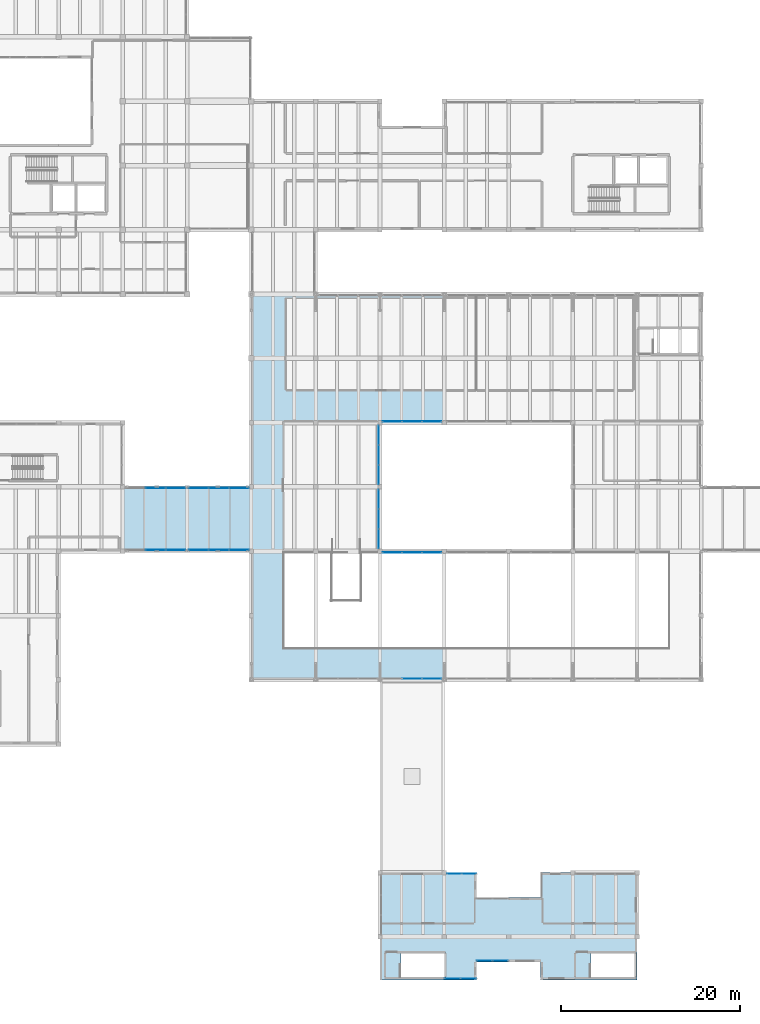
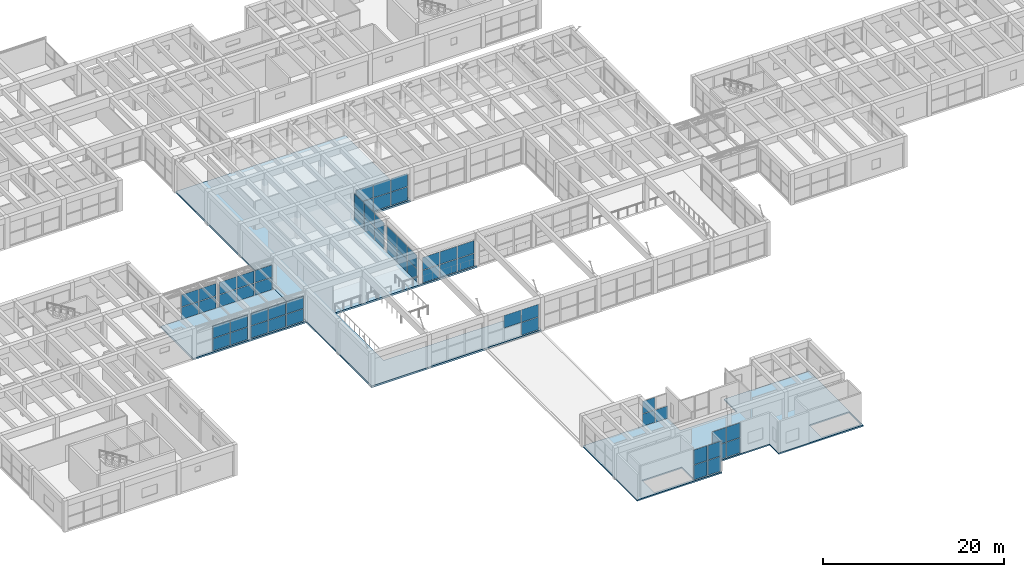
# One storey, part 118 of 153: 58 plates, 3 slabs, 12 elements without a shape of their own.
"""IFC4 building model written with IfcOpenShell, lengths in metres."""

from ifc_helpers import new_model, si_unit, direction, frame, origin, origin_2d, place, context, subcontext, project, spatial, polyline, rectangle, outline, extrude, material, layer, layer_set, type_object, element, aggregate, save


model = new_model("IFC4")

# Units and contexts
model_context = context("Model", 3, precision=1e-05, world=origin(), true_north=direction((0.0, 1.0)))
body_context = subcontext(model_context, "Body", "Model", "MODEL_VIEW")
ifc_project = project(units=[si_unit("LENGTHUNIT", "METRE"), si_unit("AREAUNIT", "SQUARE_METRE"), si_unit("VOLUMEUNIT", "CUBIC_METRE"), si_unit("PLANEANGLEUNIT", "RADIAN"), si_unit("MASSUNIT", "GRAM", prefix="KILO")], contexts=[model_context])

# Site, building, storey
site_placement = place(None, origin())
site = spatial("IfcSite", under=ifc_project, at=site_placement, CompositionType="ELEMENT")
building_placement = place(site_placement, origin())
building = spatial("IfcBuilding", under=site, at=building_placement, Name="Bramvelor Terrace Health Centre", CompositionType="ELEMENT")
storey_placement = place(building_placement, frame((0.0, 0.0, 4.800048828125)))
storey = spatial("IfcBuildingStorey", under=building, at=storey_placement, Name="L02", CompositionType="ELEMENT", Elevation=4.800048828125)

# Curtain wall, plates
ifc_material_1 = material(Name="Anodized aluminium and double low-E glass", Category="aluminium")
curtain_wall_type_1 = type_object("IfcCurtainWallType", Name="CW-SYS-20", PredefinedType="NOTDEFINED", material=ifc_material_1)
curtain_wall_1_placement = place(storey_placement, origin())
curtain_wall_1 = element("IfcCurtainWall", 1, at=curtain_wall_1_placement, inside=storey, type_object=curtain_wall_type_1, Name="L02 Unitized Curtain Wall 121", PredefinedType="NOTDEFINED")
ifc_material_2 = material(Name="Double low-E laminated glass", Category="glass")
ifc_layer_1 = layer(ifc_material_2, 0.028076171875)
ifc_layer_set_1 = layer_set([ifc_layer_1], Name="Double low-E laminated glass")
plate_type = type_object("IfcPlateType", Name="CW-PNL-GLZ28", PredefinedType="CURTAIN_PANEL", material=ifc_layer_set_1)
plate_1_placement = place(storey_placement, frame((63.41796875, 36.1298828125, 0.06494140625), z_axis=(0.0, 0.0, 1.0), x_axis=(-1.0, 0.0, 0.0)))
plate_1 = element("IfcPlate", 2, at=plate_1_placement, type_object=plate_type, Name="CW-20 panel 1.1", PredefinedType="CURTAIN_PANEL", context=body_context, shape_type="SweptSolid", body=[
    extrude(rectangle(XDim=2.124267578125, YDim=0.028076171875, at=origin_2d()), origin(), (0.0, 0.0, 1.0), 1.677490234375),
])
plate_2_placement = place(storey_placement, frame((63.41796875, 36.1298828125, 1.8076171875), z_axis=(0.0, 0.0, 1.0), x_axis=(-1.0, 0.0, 0.0)))
plate_2 = element("IfcPlate", 3, at=plate_2_placement, type_object=plate_type, Name="CW-20 panel 1.2", PredefinedType="CURTAIN_PANEL", context=body_context, shape_type="SweptSolid", body=[
    extrude(rectangle(XDim=2.124267578125, YDim=0.028076171875, at=origin_2d()), origin(), (0.0, 0.0, 1.0), 1.677490234375),
])
plate_3_placement = place(storey_placement, frame((61.199951171875, 36.1298828125, 1.8076171875), z_axis=(0.0, 0.0, 1.0), x_axis=(-1.0, 0.0, 0.0)))
plate_3 = element("IfcPlate", 4, at=plate_3_placement, type_object=plate_type, Name="CW-20 panel 2.2", PredefinedType="CURTAIN_PANEL", context=body_context, shape_type="SweptSolid", body=[
    extrude(rectangle(XDim=2.16162109375, YDim=0.028076171875, at=origin_2d()), origin(), (0.0, 0.0, 1.0), 1.677490234375),
])
aggregate(curtain_wall_1, [plate_1, plate_2, plate_3])

ifc_material_3 = material(Name="Anodized aluminium and double low-E glass", Category="aluminium")
curtain_wall_type_2 = type_object("IfcCurtainWallType", Name="CW-SYS-01", PredefinedType="NOTDEFINED", material=ifc_material_3)
curtain_wall_2_placement = place(storey_placement, origin())
curtain_wall_2 = element("IfcCurtainWall", 5, at=curtain_wall_2_placement, inside=storey, type_object=curtain_wall_type_2, Name="L02 Unitized Curtain Wall 123", PredefinedType="NOTDEFINED")
plate_4_placement = place(storey_placement, frame((41.797607421875, 50.530029296875, 0.06494140625), z_axis=(0.0, 0.0, 1.0), x_axis=(-1.0, 0.0, 0.0)))
plate_4 = element("IfcPlate", 6, at=plate_4_placement, type_object=plate_type, Name="CW-01 panel 1.1", PredefinedType="CURTAIN_PANEL", context=body_context, shape_type="SweptSolid", body=[
    extrude(rectangle(XDim=2.164794921875, YDim=0.028076171875, at=origin_2d()), origin(), (0.0, 0.0, 1.0), 1.632568359375),
])
plate_5_placement = place(storey_placement, frame((41.797607421875, 50.530029296875, 1.76220703125), z_axis=(0.0, 0.0, 1.0), x_axis=(-1.0, 0.0, 0.0)))
plate_5 = element("IfcPlate", 7, at=plate_5_placement, type_object=plate_type, Name="CW-01 panel 1.2", PredefinedType="CURTAIN_PANEL", context=body_context, shape_type="SweptSolid", body=[
    extrude(rectangle(XDim=2.164794921875, YDim=0.028076171875, at=origin_2d()), origin(), (0.0, 0.0, 1.0), 1.632568359375),
])
plate_6_placement = place(storey_placement, frame((39.5390625, 50.530029296875, 0.06494140625), z_axis=(0.0, 0.0, 1.0), x_axis=(-1.0, 0.0, 0.0)))
plate_6 = element("IfcPlate", 8, at=plate_6_placement, type_object=plate_type, Name="CW-01 panel 2.1", PredefinedType="CURTAIN_PANEL", context=body_context, shape_type="SweptSolid", body=[
    extrude(rectangle(XDim=2.2021484375, YDim=0.028076171875, at=origin_2d()), origin(), (0.0, 0.0, 1.0), 1.632568359375),
])
plate_7_placement = place(storey_placement, frame((39.5390625, 50.530029296875, 1.76220703125), z_axis=(0.0, 0.0, 1.0), x_axis=(-1.0, 0.0, 0.0)))
plate_7 = element("IfcPlate", 9, at=plate_7_placement, type_object=plate_type, Name="CW-01 panel 2.2", PredefinedType="CURTAIN_PANEL", context=body_context, shape_type="SweptSolid", body=[
    extrude(rectangle(XDim=2.2021484375, YDim=0.028076171875, at=origin_2d()), origin(), (0.0, 0.0, 1.0), 1.632568359375),
])
plate_8_placement = place(storey_placement, frame((37.280517578125, 50.530029296875, 0.06494140625), z_axis=(0.0, 0.0, 1.0), x_axis=(-1.0, 0.0, 0.0)))
plate_8 = element("IfcPlate", 10, at=plate_8_placement, type_object=plate_type, Name="CW-01 panel 3.1", PredefinedType="CURTAIN_PANEL", context=body_context, shape_type="SweptSolid", body=[
    extrude(rectangle(XDim=2.164794921875, YDim=0.028076171875, at=origin_2d()), origin(), (0.0, 0.0, 1.0), 1.632568359375),
])
plate_9_placement = place(storey_placement, frame((37.280517578125, 50.530029296875, 1.76220703125), z_axis=(0.0, 0.0, 1.0), x_axis=(-1.0, 0.0, 0.0)))
plate_9 = element("IfcPlate", 11, at=plate_9_placement, type_object=plate_type, Name="CW-01 panel 3.2", PredefinedType="CURTAIN_PANEL", context=body_context, shape_type="SweptSolid", body=[
    extrude(rectangle(XDim=2.164794921875, YDim=0.028076171875, at=origin_2d()), origin(), (0.0, 0.0, 1.0), 1.632568359375),
])
aggregate(curtain_wall_2, [plate_4, plate_5, plate_6, plate_7, plate_8, plate_9])

curtain_wall_3_placement = place(storey_placement, origin())
curtain_wall_3 = element("IfcCurtainWall", 12, at=curtain_wall_3_placement, inside=storey, type_object=curtain_wall_type_2, Name="L02 Unitized Curtain Wall 124", PredefinedType="NOTDEFINED")
plate_10_placement = place(storey_placement, frame((34.719482421875, 50.530029296875, 0.06494140625), z_axis=(0.0, 0.0, 1.0), x_axis=(-1.0, 0.0, 0.0)))
plate_10 = element("IfcPlate", 13, at=plate_10_placement, type_object=plate_type, Name="CW-01 panel 1.1", PredefinedType="CURTAIN_PANEL", context=body_context, shape_type="SweptSolid", body=[
    extrude(rectangle(XDim=2.164794921875, YDim=0.028076171875, at=origin_2d()), origin(), (0.0, 0.0, 1.0), 1.632568359375),
])
plate_11_placement = place(storey_placement, frame((34.719482421875, 50.530029296875, 1.76220703125), z_axis=(0.0, 0.0, 1.0), x_axis=(-1.0, 0.0, 0.0)))
plate_11 = element("IfcPlate", 14, at=plate_11_placement, type_object=plate_type, Name="CW-01 panel 1.2", PredefinedType="CURTAIN_PANEL", context=body_context, shape_type="SweptSolid", body=[
    extrude(rectangle(XDim=2.164794921875, YDim=0.028076171875, at=origin_2d()), origin(), (0.0, 0.0, 1.0), 1.632568359375),
])
plate_12_placement = place(storey_placement, frame((32.4609375, 50.530029296875, 0.06494140625), z_axis=(0.0, 0.0, 1.0), x_axis=(-1.0, 0.0, 0.0)))
plate_12 = element("IfcPlate", 15, at=plate_12_placement, type_object=plate_type, Name="CW-01 panel 2.1", PredefinedType="CURTAIN_PANEL", context=body_context, shape_type="SweptSolid", body=[
    extrude(rectangle(XDim=2.2021484375, YDim=0.028076171875, at=origin_2d()), origin(), (0.0, 0.0, 1.0), 1.632568359375),
])
plate_13_placement = place(storey_placement, frame((32.4609375, 50.530029296875, 1.76220703125), z_axis=(0.0, 0.0, 1.0), x_axis=(-1.0, 0.0, 0.0)))
plate_13 = element("IfcPlate", 16, at=plate_13_placement, type_object=plate_type, Name="CW-01 panel 2.2", PredefinedType="CURTAIN_PANEL", context=body_context, shape_type="SweptSolid", body=[
    extrude(rectangle(XDim=2.2021484375, YDim=0.028076171875, at=origin_2d()), origin(), (0.0, 0.0, 1.0), 1.632568359375),
])
aggregate(curtain_wall_3, [plate_10, plate_11, plate_12, plate_13])

curtain_wall_4_placement = place(storey_placement, origin())
curtain_wall_4 = element("IfcCurtainWall", 17, at=curtain_wall_4_placement, inside=storey, type_object=curtain_wall_type_2, Name="L02 Unitized Curtain Wall 131", PredefinedType="NOTDEFINED")
plate_14_placement = place(storey_placement, frame((32.4609375, 57.469970703125, 0.06494140625), z_axis=(0.0, 0.0, 1.0), x_axis=(1.0, 0.0, 0.0)))
plate_14 = element("IfcPlate", 18, at=plate_14_placement, type_object=plate_type, Name="CW-01 panel 2.1", PredefinedType="CURTAIN_PANEL", context=body_context, shape_type="SweptSolid", body=[
    extrude(rectangle(XDim=2.2021484375, YDim=0.028076171875, at=origin_2d()), origin(), (0.0, 0.0, 1.0), 1.632568359375),
])
plate_15_placement = place(storey_placement, frame((32.4609375, 57.469970703125, 1.76220703125), z_axis=(0.0, 0.0, 1.0), x_axis=(1.0, 0.0, 0.0)))
plate_15 = element("IfcPlate", 19, at=plate_15_placement, type_object=plate_type, Name="CW-01 panel 2.2", PredefinedType="CURTAIN_PANEL", context=body_context, shape_type="SweptSolid", body=[
    extrude(rectangle(XDim=2.2021484375, YDim=0.028076171875, at=origin_2d()), origin(), (0.0, 0.0, 1.0), 1.632568359375),
])
plate_16_placement = place(storey_placement, frame((34.719482421875, 57.469970703125, 0.06494140625), z_axis=(0.0, 0.0, 1.0), x_axis=(1.0, 0.0, 0.0)))
plate_16 = element("IfcPlate", 20, at=plate_16_placement, type_object=plate_type, Name="CW-01 panel 3.1", PredefinedType="CURTAIN_PANEL", context=body_context, shape_type="SweptSolid", body=[
    extrude(rectangle(XDim=2.164794921875, YDim=0.028076171875, at=origin_2d()), origin(), (0.0, 0.0, 1.0), 1.632568359375),
])
plate_17_placement = place(storey_placement, frame((34.719482421875, 57.469970703125, 1.76220703125), z_axis=(0.0, 0.0, 1.0), x_axis=(1.0, 0.0, 0.0)))
plate_17 = element("IfcPlate", 21, at=plate_17_placement, type_object=plate_type, Name="CW-01 panel 3.2", PredefinedType="CURTAIN_PANEL", context=body_context, shape_type="SweptSolid", body=[
    extrude(rectangle(XDim=2.164794921875, YDim=0.028076171875, at=origin_2d()), origin(), (0.0, 0.0, 1.0), 1.632568359375),
])
aggregate(curtain_wall_4, [plate_14, plate_15, plate_16, plate_17])

curtain_wall_5_placement = place(storey_placement, origin())
curtain_wall_5 = element("IfcCurtainWall", 22, at=curtain_wall_5_placement, inside=storey, type_object=curtain_wall_type_2, Name="L02 Unitized Curtain Wall 132", PredefinedType="NOTDEFINED")
plate_18_placement = place(storey_placement, frame((37.280517578125, 57.469970703125, 0.06494140625), z_axis=(0.0, 0.0, 1.0), x_axis=(1.0, 0.0, 0.0)))
plate_18 = element("IfcPlate", 23, at=plate_18_placement, type_object=plate_type, Name="CW-01 panel 1.1", PredefinedType="CURTAIN_PANEL", context=body_context, shape_type="SweptSolid", body=[
    extrude(rectangle(XDim=2.164794921875, YDim=0.028076171875, at=origin_2d()), origin(), (0.0, 0.0, 1.0), 1.632568359375),
])
plate_19_placement = place(storey_placement, frame((37.280517578125, 57.469970703125, 1.76220703125), z_axis=(0.0, 0.0, 1.0), x_axis=(1.0, 0.0, 0.0)))
plate_19 = element("IfcPlate", 24, at=plate_19_placement, type_object=plate_type, Name="CW-01 panel 1.2", PredefinedType="CURTAIN_PANEL", context=body_context, shape_type="SweptSolid", body=[
    extrude(rectangle(XDim=2.164794921875, YDim=0.028076171875, at=origin_2d()), origin(), (0.0, 0.0, 1.0), 1.632568359375),
])
plate_20_placement = place(storey_placement, frame((39.5390625, 57.469970703125, 0.06494140625), z_axis=(0.0, 0.0, 1.0), x_axis=(1.0, 0.0, 0.0)))
plate_20 = element("IfcPlate", 25, at=plate_20_placement, type_object=plate_type, Name="CW-01 panel 2.1", PredefinedType="CURTAIN_PANEL", context=body_context, shape_type="SweptSolid", body=[
    extrude(rectangle(XDim=2.2021484375, YDim=0.028076171875, at=origin_2d()), origin(), (0.0, 0.0, 1.0), 1.632568359375),
])
plate_21_placement = place(storey_placement, frame((39.5390625, 57.469970703125, 1.76220703125), z_axis=(0.0, 0.0, 1.0), x_axis=(1.0, 0.0, 0.0)))
plate_21 = element("IfcPlate", 26, at=plate_21_placement, type_object=plate_type, Name="CW-01 panel 2.2", PredefinedType="CURTAIN_PANEL", context=body_context, shape_type="SweptSolid", body=[
    extrude(rectangle(XDim=2.2021484375, YDim=0.028076171875, at=origin_2d()), origin(), (0.0, 0.0, 1.0), 1.632568359375),
])
plate_22_placement = place(storey_placement, frame((41.797607421875, 57.469970703125, 0.06494140625), z_axis=(0.0, 0.0, 1.0), x_axis=(1.0, 0.0, 0.0)))
plate_22 = element("IfcPlate", 27, at=plate_22_placement, type_object=plate_type, Name="CW-01 panel 3.1", PredefinedType="CURTAIN_PANEL", context=body_context, shape_type="SweptSolid", body=[
    extrude(rectangle(XDim=2.164794921875, YDim=0.028076171875, at=origin_2d()), origin(), (0.0, 0.0, 1.0), 1.632568359375),
])
plate_23_placement = place(storey_placement, frame((41.797607421875, 57.469970703125, 1.76220703125), z_axis=(0.0, 0.0, 1.0), x_axis=(1.0, 0.0, 0.0)))
plate_23 = element("IfcPlate", 28, at=plate_23_placement, type_object=plate_type, Name="CW-01 panel 3.2", PredefinedType="CURTAIN_PANEL", context=body_context, shape_type="SweptSolid", body=[
    extrude(rectangle(XDim=2.164794921875, YDim=0.028076171875, at=origin_2d()), origin(), (0.0, 0.0, 1.0), 1.632568359375),
])
aggregate(curtain_wall_5, [plate_18, plate_19, plate_20, plate_21, plate_22, plate_23])

ifc_material_4 = material(Name="Anodized aluminium and double low-E glass", Category="aluminium")
curtain_wall_type_3 = type_object("IfcCurtainWallType", Name="CW-SYS-17", PredefinedType="NOTDEFINED", material=ifc_material_4)
curtain_wall_6_placement = place(storey_placement, origin())
curtain_wall_6 = element("IfcCurtainWall", 29, at=curtain_wall_6_placement, inside=storey, type_object=curtain_wall_type_3, Name="L02 Unitized Curtain Wall 133", PredefinedType="NOTDEFINED")
plate_24_placement = place(storey_placement, frame((57.469970703125, 63.41796875, 0.06494140625), z_axis=(0.0, 0.0, 1.0), x_axis=(0.0, -1.0, 0.0)))
plate_24 = element("IfcPlate", 30, at=plate_24_placement, type_object=plate_type, Name="CW-17 panel 1.1", PredefinedType="CURTAIN_PANEL", context=body_context, shape_type="SweptSolid", body=[
    extrude(rectangle(XDim=2.124267578125, YDim=0.028076171875, at=origin_2d()), origin(), (0.0, 0.0, 1.0), 1.757568359375),
])
plate_25_placement = place(storey_placement, frame((57.469970703125, 63.41796875, 1.88720703125), z_axis=(0.0, 0.0, 1.0), x_axis=(0.0, -1.0, 0.0)))
plate_25 = element("IfcPlate", 31, at=plate_25_placement, type_object=plate_type, Name="CW-17 panel 1.2", PredefinedType="CURTAIN_PANEL", context=body_context, shape_type="SweptSolid", body=[
    extrude(rectangle(XDim=2.124267578125, YDim=0.028076171875, at=origin_2d()), origin(), (0.0, 0.0, 1.0), 1.757568359375),
])
plate_26_placement = place(storey_placement, frame((57.469970703125, 61.199951171875, 0.06494140625), z_axis=(0.0, 0.0, 1.0), x_axis=(0.0, -1.0, 0.0)))
plate_26 = element("IfcPlate", 32, at=plate_26_placement, type_object=plate_type, Name="CW-17 panel 2.1", PredefinedType="CURTAIN_PANEL", context=body_context, shape_type="SweptSolid", body=[
    extrude(rectangle(XDim=2.16162109375, YDim=0.028076171875, at=origin_2d()), origin(), (0.0, 0.0, 1.0), 1.757568359375),
])
plate_27_placement = place(storey_placement, frame((57.469970703125, 61.199951171875, 1.88720703125), z_axis=(0.0, 0.0, 1.0), x_axis=(0.0, -1.0, 0.0)))
plate_27 = element("IfcPlate", 33, at=plate_27_placement, type_object=plate_type, Name="CW-17 panel 2.2", PredefinedType="CURTAIN_PANEL", context=body_context, shape_type="SweptSolid", body=[
    extrude(rectangle(XDim=2.16162109375, YDim=0.028076171875, at=origin_2d()), origin(), (0.0, 0.0, 1.0), 1.757568359375),
])
plate_28_placement = place(storey_placement, frame((57.469970703125, 58.982177734375, 0.06494140625), z_axis=(0.0, 0.0, 1.0), x_axis=(0.0, -1.0, 0.0)))
plate_28 = element("IfcPlate", 34, at=plate_28_placement, type_object=plate_type, Name="CW-17 panel 3.1", PredefinedType="CURTAIN_PANEL", context=body_context, shape_type="SweptSolid", body=[
    extrude(rectangle(XDim=2.124267578125, YDim=0.028076171875, at=origin_2d()), origin(), (0.0, 0.0, 1.0), 1.757568359375),
])
plate_29_placement = place(storey_placement, frame((57.469970703125, 58.982177734375, 1.88720703125), z_axis=(0.0, 0.0, 1.0), x_axis=(0.0, -1.0, 0.0)))
plate_29 = element("IfcPlate", 35, at=plate_29_placement, type_object=plate_type, Name="CW-17 panel 3.2", PredefinedType="CURTAIN_PANEL", context=body_context, shape_type="SweptSolid", body=[
    extrude(rectangle(XDim=2.124267578125, YDim=0.028076171875, at=origin_2d()), origin(), (0.0, 0.0, 1.0), 1.757568359375),
])
aggregate(curtain_wall_6, [plate_24, plate_25, plate_26, plate_27, plate_28, plate_29])

curtain_wall_7_placement = place(storey_placement, origin())
curtain_wall_7 = element("IfcCurtainWall", 36, at=curtain_wall_7_placement, inside=storey, type_object=curtain_wall_type_3, Name="L02 Unitized Curtain Wall 134", PredefinedType="NOTDEFINED")
plate_30_placement = place(storey_placement, frame((57.469970703125, 56.218017578125, 0.06494140625), z_axis=(0.0, 0.0, 1.0), x_axis=(0.0, -1.0, 0.0)))
plate_30 = element("IfcPlate", 37, at=plate_30_placement, type_object=plate_type, Name="CW-17 panel 1.1", PredefinedType="CURTAIN_PANEL", context=body_context, shape_type="SweptSolid", body=[
    extrude(rectangle(XDim=2.124267578125, YDim=0.028076171875, at=origin_2d()), origin(), (0.0, 0.0, 1.0), 1.757568359375),
])
plate_31_placement = place(storey_placement, frame((57.469970703125, 56.218017578125, 1.88720703125), z_axis=(0.0, 0.0, 1.0), x_axis=(0.0, -1.0, 0.0)))
plate_31 = element("IfcPlate", 38, at=plate_31_placement, type_object=plate_type, Name="CW-17 panel 1.2", PredefinedType="CURTAIN_PANEL", context=body_context, shape_type="SweptSolid", body=[
    extrude(rectangle(XDim=2.124267578125, YDim=0.028076171875, at=origin_2d()), origin(), (0.0, 0.0, 1.0), 1.757568359375),
])
plate_32_placement = place(storey_placement, frame((57.469970703125, 54.0, 0.06494140625), z_axis=(0.0, 0.0, 1.0), x_axis=(0.0, -1.0, 0.0)))
plate_32 = element("IfcPlate", 39, at=plate_32_placement, type_object=plate_type, Name="CW-17 panel 2.1", PredefinedType="CURTAIN_PANEL", context=body_context, shape_type="SweptSolid", body=[
    extrude(rectangle(XDim=2.16162109375, YDim=0.028076171875, at=origin_2d()), origin(), (0.0, 0.0, 1.0), 1.757568359375),
])
plate_33_placement = place(storey_placement, frame((57.469970703125, 54.0, 1.88720703125), z_axis=(0.0, 0.0, 1.0), x_axis=(0.0, -1.0, 0.0)))
plate_33 = element("IfcPlate", 40, at=plate_33_placement, type_object=plate_type, Name="CW-17 panel 2.2", PredefinedType="CURTAIN_PANEL", context=body_context, shape_type="SweptSolid", body=[
    extrude(rectangle(XDim=2.16162109375, YDim=0.028076171875, at=origin_2d()), origin(), (0.0, 0.0, 1.0), 1.757568359375),
])
plate_34_placement = place(storey_placement, frame((57.469970703125, 51.781982421875, 0.06494140625), z_axis=(0.0, 0.0, 1.0), x_axis=(0.0, -1.0, 0.0)))
plate_34 = element("IfcPlate", 41, at=plate_34_placement, type_object=plate_type, Name="CW-17 panel 3.1", PredefinedType="CURTAIN_PANEL", context=body_context, shape_type="SweptSolid", body=[
    extrude(rectangle(XDim=2.124267578125, YDim=0.028076171875, at=origin_2d()), origin(), (0.0, 0.0, 1.0), 1.757568359375),
])
plate_35_placement = place(storey_placement, frame((57.469970703125, 51.781982421875, 1.88720703125), z_axis=(0.0, 0.0, 1.0), x_axis=(0.0, -1.0, 0.0)))
plate_35 = element("IfcPlate", 42, at=plate_35_placement, type_object=plate_type, Name="CW-17 panel 3.2", PredefinedType="CURTAIN_PANEL", context=body_context, shape_type="SweptSolid", body=[
    extrude(rectangle(XDim=2.124267578125, YDim=0.028076171875, at=origin_2d()), origin(), (0.0, 0.0, 1.0), 1.757568359375),
])
aggregate(curtain_wall_7, [plate_30, plate_31, plate_32, plate_33, plate_34, plate_35])

curtain_wall_8_placement = place(storey_placement, origin())
curtain_wall_8 = element("IfcCurtainWall", 43, at=curtain_wall_8_placement, inside=storey, type_object=curtain_wall_type_1, Name="L02 Unitized Curtain Wall 135", PredefinedType="NOTDEFINED")
plate_36_placement = place(storey_placement, frame((58.982177734375, 50.27001953125, 0.06494140625), z_axis=(0.0, 0.0, 1.0), x_axis=(1.0, 0.0, 0.0)))
plate_36 = element("IfcPlate", 44, at=plate_36_placement, type_object=plate_type, Name="CW-20 panel 1.1", PredefinedType="CURTAIN_PANEL", context=body_context, shape_type="SweptSolid", body=[
    extrude(rectangle(XDim=2.124267578125, YDim=0.028076171875, at=origin_2d()), origin(), (0.0, 0.0, 1.0), 1.677490234375),
])
plate_37_placement = place(storey_placement, frame((58.982177734375, 50.27001953125, 1.8076171875), z_axis=(0.0, 0.0, 1.0), x_axis=(1.0, 0.0, 0.0)))
plate_37 = element("IfcPlate", 45, at=plate_37_placement, type_object=plate_type, Name="CW-20 panel 1.2", PredefinedType="CURTAIN_PANEL", context=body_context, shape_type="SweptSolid", body=[
    extrude(rectangle(XDim=2.124267578125, YDim=0.028076171875, at=origin_2d()), origin(), (0.0, 0.0, 1.0), 1.677490234375),
])
plate_38_placement = place(storey_placement, frame((61.199951171875, 50.27001953125, 0.06494140625), z_axis=(0.0, 0.0, 1.0), x_axis=(1.0, 0.0, 0.0)))
plate_38 = element("IfcPlate", 46, at=plate_38_placement, type_object=plate_type, Name="CW-20 panel 2.1", PredefinedType="CURTAIN_PANEL", context=body_context, shape_type="SweptSolid", body=[
    extrude(rectangle(XDim=2.16162109375, YDim=0.028076171875, at=origin_2d()), origin(), (0.0, 0.0, 1.0), 1.677490234375),
])
plate_39_placement = place(storey_placement, frame((61.199951171875, 50.27001953125, 1.8076171875), z_axis=(0.0, 0.0, 1.0), x_axis=(1.0, 0.0, 0.0)))
plate_39 = element("IfcPlate", 47, at=plate_39_placement, type_object=plate_type, Name="CW-20 panel 2.2", PredefinedType="CURTAIN_PANEL", context=body_context, shape_type="SweptSolid", body=[
    extrude(rectangle(XDim=2.16162109375, YDim=0.028076171875, at=origin_2d()), origin(), (0.0, 0.0, 1.0), 1.677490234375),
])
plate_40_placement = place(storey_placement, frame((63.41796875, 50.27001953125, 0.06494140625), z_axis=(0.0, 0.0, 1.0), x_axis=(1.0, 0.0, 0.0)))
plate_40 = element("IfcPlate", 48, at=plate_40_placement, type_object=plate_type, Name="CW-20 panel 3.1", PredefinedType="CURTAIN_PANEL", context=body_context, shape_type="SweptSolid", body=[
    extrude(rectangle(XDim=2.124267578125, YDim=0.028076171875, at=origin_2d()), origin(), (0.0, 0.0, 1.0), 1.677490234375),
])
plate_41_placement = place(storey_placement, frame((63.41796875, 50.27001953125, 1.8076171875), z_axis=(0.0, 0.0, 1.0), x_axis=(1.0, 0.0, 0.0)))
plate_41 = element("IfcPlate", 49, at=plate_41_placement, type_object=plate_type, Name="CW-20 panel 3.2", PredefinedType="CURTAIN_PANEL", context=body_context, shape_type="SweptSolid", body=[
    extrude(rectangle(XDim=2.124267578125, YDim=0.028076171875, at=origin_2d()), origin(), (0.0, 0.0, 1.0), 1.677490234375),
])
aggregate(curtain_wall_8, [plate_36, plate_37, plate_38, plate_39, plate_40, plate_41])

curtain_wall_9_placement = place(storey_placement, origin())
curtain_wall_9 = element("IfcCurtainWall", 50, at=curtain_wall_9_placement, inside=storey, type_object=curtain_wall_type_3, Name="L02 Unitized Curtain Wall 142", PredefinedType="NOTDEFINED")
plate_42_placement = place(storey_placement, frame((63.41796875, 64.929931640625, 0.06494140625), z_axis=(0.0, 0.0, 1.0), x_axis=(-1.0, 0.0, 0.0)))
plate_42 = element("IfcPlate", 51, at=plate_42_placement, type_object=plate_type, Name="CW-17 panel 1.1", PredefinedType="CURTAIN_PANEL", context=body_context, shape_type="SweptSolid", body=[
    extrude(rectangle(XDim=2.124267578125, YDim=0.028076171875, at=origin_2d()), origin(), (0.0, 0.0, 1.0), 1.757568359375),
])
plate_43_placement = place(storey_placement, frame((63.41796875, 64.929931640625, 1.88720703125), z_axis=(0.0, 0.0, 1.0), x_axis=(-1.0, 0.0, 0.0)))
plate_43 = element("IfcPlate", 52, at=plate_43_placement, type_object=plate_type, Name="CW-17 panel 1.2", PredefinedType="CURTAIN_PANEL", context=body_context, shape_type="SweptSolid", body=[
    extrude(rectangle(XDim=2.124267578125, YDim=0.028076171875, at=origin_2d()), origin(), (0.0, 0.0, 1.0), 1.757568359375),
])
plate_44_placement = place(storey_placement, frame((61.199951171875, 64.929931640625, 0.06494140625), z_axis=(0.0, 0.0, 1.0), x_axis=(-1.0, 0.0, 0.0)))
plate_44 = element("IfcPlate", 53, at=plate_44_placement, type_object=plate_type, Name="CW-17 panel 2.1", PredefinedType="CURTAIN_PANEL", context=body_context, shape_type="SweptSolid", body=[
    extrude(rectangle(XDim=2.16162109375, YDim=0.028076171875, at=origin_2d()), origin(), (0.0, 0.0, 1.0), 1.757568359375),
])
plate_45_placement = place(storey_placement, frame((61.199951171875, 64.929931640625, 1.88720703125), z_axis=(0.0, 0.0, 1.0), x_axis=(-1.0, 0.0, 0.0)))
plate_45 = element("IfcPlate", 54, at=plate_45_placement, type_object=plate_type, Name="CW-17 panel 2.2", PredefinedType="CURTAIN_PANEL", context=body_context, shape_type="SweptSolid", body=[
    extrude(rectangle(XDim=2.16162109375, YDim=0.028076171875, at=origin_2d()), origin(), (0.0, 0.0, 1.0), 1.757568359375),
])
plate_46_placement = place(storey_placement, frame((58.982177734375, 64.929931640625, 0.06494140625), z_axis=(0.0, 0.0, 1.0), x_axis=(-1.0, 0.0, 0.0)))
plate_46 = element("IfcPlate", 55, at=plate_46_placement, type_object=plate_type, Name="CW-17 panel 3.1", PredefinedType="CURTAIN_PANEL", context=body_context, shape_type="SweptSolid", body=[
    extrude(rectangle(XDim=2.124267578125, YDim=0.028076171875, at=origin_2d()), origin(), (0.0, 0.0, 1.0), 1.757568359375),
])
plate_47_placement = place(storey_placement, frame((58.982177734375, 64.929931640625, 1.88720703125), z_axis=(0.0, 0.0, 1.0), x_axis=(-1.0, 0.0, 0.0)))
plate_47 = element("IfcPlate", 56, at=plate_47_placement, type_object=plate_type, Name="CW-17 panel 3.2", PredefinedType="CURTAIN_PANEL", context=body_context, shape_type="SweptSolid", body=[
    extrude(rectangle(XDim=2.124267578125, YDim=0.028076171875, at=origin_2d()), origin(), (0.0, 0.0, 1.0), 1.757568359375),
])
aggregate(curtain_wall_9, [plate_42, plate_43, plate_44, plate_45, plate_46, plate_47])

ifc_material_5 = material(Name="Anodized aluminium and double low-E glass", Category="aluminium")
curtain_wall_type_4 = type_object("IfcCurtainWallType", Name="CW-SYS-24", PredefinedType="NOTDEFINED", material=ifc_material_5)
curtain_wall_10_placement = place(storey_placement, origin())
curtain_wall_10 = element("IfcCurtainWall", 57, at=curtain_wall_10_placement, inside=storey, type_object=curtain_wall_type_4, Name="L02 Unitized Curtain Wall 146", PredefinedType="NOTDEFINED")
plate_48_placement = place(storey_placement, frame((71.0712890625, 4.530029296875, 0.06494140625), z_axis=(0.0, 0.0, 1.0), x_axis=(-1.0, 0.0, 0.0)))
plate_48 = element("IfcPlate", 58, at=plate_48_placement, type_object=plate_type, Name="CW-24 panel 1.1", PredefinedType="CURTAIN_PANEL", context=body_context, shape_type="SweptSolid", body=[
    extrude(rectangle(XDim=1.70751953125, YDim=0.028076171875, at=origin_2d()), origin(), (0.0, 0.0, 1.0), 1.982421875),
])
plate_49_placement = place(storey_placement, frame((71.0712890625, 4.530029296875, 2.112548828125), z_axis=(0.0, 0.0, 1.0), x_axis=(-1.0, 0.0, 0.0)))
plate_49 = element("IfcPlate", 59, at=plate_49_placement, type_object=plate_type, Name="CW-24 panel 1.2", PredefinedType="CURTAIN_PANEL", context=body_context, shape_type="SweptSolid", body=[
    extrude(rectangle(XDim=1.70751953125, YDim=0.028076171875, at=origin_2d()), origin(), (0.0, 0.0, 1.0), 1.982421875),
])
plate_50_placement = place(storey_placement, frame((69.288818359375, 4.530029296875, 0.06494140625), z_axis=(0.0, 0.0, 1.0), x_axis=(-1.0, 0.0, 0.0)))
plate_50 = element("IfcPlate", 60, at=plate_50_placement, type_object=plate_type, Name="CW-24 panel 2.1", PredefinedType="CURTAIN_PANEL", context=body_context, shape_type="SweptSolid", body=[
    extrude(rectangle(XDim=1.70751953125, YDim=0.028076171875, at=origin_2d()), origin(), (0.0, 0.0, 1.0), 1.982421875),
])
plate_51_placement = place(storey_placement, frame((69.288818359375, 4.530029296875, 2.112548828125), z_axis=(0.0, 0.0, 1.0), x_axis=(-1.0, 0.0, 0.0)))
plate_51 = element("IfcPlate", 61, at=plate_51_placement, type_object=plate_type, Name="CW-24 panel 2.2", PredefinedType="CURTAIN_PANEL", context=body_context, shape_type="SweptSolid", body=[
    extrude(rectangle(XDim=1.70751953125, YDim=0.028076171875, at=origin_2d()), origin(), (0.0, 0.0, 1.0), 1.982421875),
])
aggregate(curtain_wall_10, [plate_48, plate_49, plate_50, plate_51])

curtain_wall_11_placement = place(storey_placement, origin())
curtain_wall_11 = element("IfcCurtainWall", 62, at=curtain_wall_11_placement, inside=storey, type_object=curtain_wall_type_4, Name="L02 Unitized Curtain Wall 147", PredefinedType="NOTDEFINED")
plate_52_placement = place(storey_placement, frame((67.51123046875, 2.530029296875, 0.06494140625), z_axis=(0.0, 0.0, 1.0), x_axis=(-1.0, 0.0, 0.0)))
plate_52 = element("IfcPlate", 63, at=plate_52_placement, type_object=plate_type, Name="CW-24 panel 1.1", PredefinedType="CURTAIN_PANEL", context=body_context, shape_type="SweptSolid", body=[
    extrude(rectangle(XDim=1.70751953125, YDim=0.028076171875, at=origin_2d()), origin(), (0.0, 0.0, 1.0), 1.982421875),
])
plate_53_placement = place(storey_placement, frame((67.51123046875, 2.530029296875, 2.112548828125), z_axis=(0.0, 0.0, 1.0), x_axis=(-1.0, 0.0, 0.0)))
plate_53 = element("IfcPlate", 64, at=plate_53_placement, type_object=plate_type, Name="CW-24 panel 1.2", PredefinedType="CURTAIN_PANEL", context=body_context, shape_type="SweptSolid", body=[
    extrude(rectangle(XDim=1.70751953125, YDim=0.028076171875, at=origin_2d()), origin(), (0.0, 0.0, 1.0), 1.982421875),
])
plate_54_placement = place(storey_placement, frame((65.728759765625, 2.530029296875, 0.06494140625), z_axis=(0.0, 0.0, 1.0), x_axis=(-1.0, 0.0, 0.0)))
plate_54 = element("IfcPlate", 65, at=plate_54_placement, type_object=plate_type, Name="CW-24 panel 2.1", PredefinedType="CURTAIN_PANEL", context=body_context, shape_type="SweptSolid", body=[
    extrude(rectangle(XDim=1.70751953125, YDim=0.028076171875, at=origin_2d()), origin(), (0.0, 0.0, 1.0), 1.982421875),
])
plate_55_placement = place(storey_placement, frame((65.728759765625, 2.530029296875, 2.112548828125), z_axis=(0.0, 0.0, 1.0), x_axis=(-1.0, 0.0, 0.0)))
plate_55 = element("IfcPlate", 66, at=plate_55_placement, type_object=plate_type, Name="CW-24 panel 2.2", PredefinedType="CURTAIN_PANEL", context=body_context, shape_type="SweptSolid", body=[
    extrude(rectangle(XDim=1.70751953125, YDim=0.028076171875, at=origin_2d()), origin(), (0.0, 0.0, 1.0), 1.982421875),
])
aggregate(curtain_wall_11, [plate_52, plate_53, plate_54, plate_55])

ifc_material_6 = material(Name="Anodized aluminium and double low-E glass", Category="aluminium")
curtain_wall_type_5 = type_object("IfcCurtainWallType", Name="CW-SYS-25", PredefinedType="NOTDEFINED", material=ifc_material_6)
curtain_wall_12_placement = place(storey_placement, origin())
curtain_wall_12 = element("IfcCurtainWall", 67, at=curtain_wall_12_placement, inside=storey, type_object=curtain_wall_type_5, Name="L02 Unitized Curtain Wall 149", PredefinedType="NOTDEFINED")
plate_56_placement = place(storey_placement, frame((65.91259765625, 14.27001953125, 0.06494140625), z_axis=(0.0, 0.0, 1.0), x_axis=(1.0, 0.0, 0.0)))
plate_56 = element("IfcPlate", 68, at=plate_56_placement, type_object=plate_type, Name="CW-25 panel 1.1", PredefinedType="CURTAIN_PANEL", context=body_context, shape_type="SweptSolid", body=[
    extrude(rectangle(XDim=1.5849609375, YDim=0.028076171875, at=origin_2d()), origin(), (0.0, 0.0, 1.0), 1.657470703125),
])
plate_57_placement = place(storey_placement, frame((65.91259765625, 14.27001953125, 1.78759765625), z_axis=(0.0, 0.0, 1.0), x_axis=(1.0, 0.0, 0.0)))
plate_57 = element("IfcPlate", 69, at=plate_57_placement, type_object=plate_type, Name="CW-25 panel 1.2", PredefinedType="CURTAIN_PANEL", context=body_context, shape_type="SweptSolid", body=[
    extrude(rectangle(XDim=1.5849609375, YDim=0.028076171875, at=origin_2d()), origin(), (0.0, 0.0, 1.0), 1.657470703125),
])
plate_58_placement = place(storey_placement, frame((67.572509765625, 14.27001953125, 0.06494140625), z_axis=(0.0, 0.0, 1.0), x_axis=(1.0, 0.0, 0.0)))
plate_58 = element("IfcPlate", 70, at=plate_58_placement, type_object=plate_type, Name="CW-25 panel 2.1", PredefinedType="CURTAIN_PANEL", context=body_context, shape_type="SweptSolid", body=[
    extrude(rectangle(XDim=1.5849609375, YDim=0.028076171875, at=origin_2d()), origin(), (0.0, 0.0, 1.0), 1.657470703125),
])
aggregate(curtain_wall_12, [plate_56, plate_57, plate_58])

# Slabs
ifc_material_7 = material(Name="Concrete C40/50", Category="concrete")
ifc_layer_2 = layer(ifc_material_7, 0.219970703125)
ifc_layer_set_2 = layer_set([ifc_layer_2], Name="Concrete C40/50")
slab_type_1 = type_object("IfcSlabType", Name="SLB-FLR-BRG220", PredefinedType="FLOOR", material=ifc_layer_set_2)
slab_1_placement = place(storey_placement, frame((0.0, 0.0, -0.219970703125)))
element("IfcSlab", 71, at=slab_1_placement, inside=storey, type_object=slab_type_1, Name="L02 BR1 Floor Slab", PredefinedType="FLOOR", context=body_context, shape_type="SweptSolid", body=[
    extrude(outline(polyline([(43.199951171875, 50.39990234375), (43.199951171875, 57.60009765625), (28.800048828125, 57.60009765625), (28.800048828125, 50.39990234375), (43.199951171875, 50.39990234375)])), origin(), (0.0, 0.0, 1.0), 0.219970703125),
])
ifc_material_8 = material(Name="Cross-laminated timber C24", Category="wood")
ifc_layer_3 = layer(ifc_material_8, 0.18505859375)
ifc_layer_set_3 = layer_set([ifc_layer_3], Name="Cross-laminated timber C24")
slab_type_2 = type_object("IfcSlabType", Name="SLB-FLR-CLT185", PredefinedType="FLOOR", material=ifc_layer_set_3)
slab_2_placement = place(storey_placement, frame((0.0, 0.0, -0.18505859375)))
element("IfcSlab", 72, at=slab_2_placement, inside=storey, type_object=slab_type_2, Name="L02 V3 Floor Slab", PredefinedType="FLOOR", context=body_context, shape_type="SweptSolid", body=[
    extrude(outline(polyline([(68.39990234375, 11.60009765625), (75.60009765625, 11.60009765625), (75.60009765625, 14.39990234375), (86.39990234375, 14.39990234375), (86.39990234375, 2.39990234375), (75.60009765625, 2.39990234375), (75.60009765625, 4.39990234375), (68.39990234375, 4.39990234375), (68.39990234375, 2.39990234375), (57.60009765625, 2.39990234375), (57.60009765625, 14.39990234375), (68.39990234375, 14.39990234375), (68.39990234375, 11.60009765625)]), holes=[polyline([(59.929931640625, 5.39990234375), (59.929931640625, 2.699951171875), (65.0, 2.699951171875), (65.0, 5.39990234375), (59.929931640625, 5.39990234375)]), polyline([(86.300048828125, 5.39990234375), (81.22998046875, 5.39990234375), (81.22998046875, 2.699951171875), (86.300048828125, 2.699951171875), (86.300048828125, 5.39990234375)])]), origin(), (0.0, 0.0, 1.0), 0.18505859375),
])
ifc_material_9 = material(Name="Concrete C40/50", Category="concrete")
ifc_layer_4 = layer(ifc_material_9, 0.239990234375)
ifc_layer_set_4 = layer_set([ifc_layer_4], Name="Concrete C40/50")
slab_type_3 = type_object("IfcSlabType", Name="SLB-FLR-RC240", PredefinedType="FLOOR", material=ifc_layer_set_4)
slab_3_placement = place(storey_placement, frame((0.0, 0.0, -0.239990234375)))
element("IfcSlab", 73, at=slab_3_placement, inside=storey, type_object=slab_type_3, Name="L02 V1_W Floor Slab", PredefinedType="FLOOR", context=body_context, shape_type="SweptSolid", body=[
    extrude(outline(polyline([(64.800048828125, 79.199951171875), (64.800048828125, 64.800048828125), (57.60009765625, 64.800048828125), (57.60009765625, 50.39990234375), (64.800048828125, 50.39990234375), (64.800048828125, 50.199951171875), (46.800048828125, 50.199951171875), (46.800048828125, 39.60009765625), (64.800048828125, 39.60009765625), (64.800048828125, 36.0), (43.199951171875, 36.0), (43.199951171875, 79.199951171875), (64.800048828125, 79.199951171875)])), origin(), (0.0, 0.0, 1.0), 0.239990234375),
])

save(model, "model.ifc")
